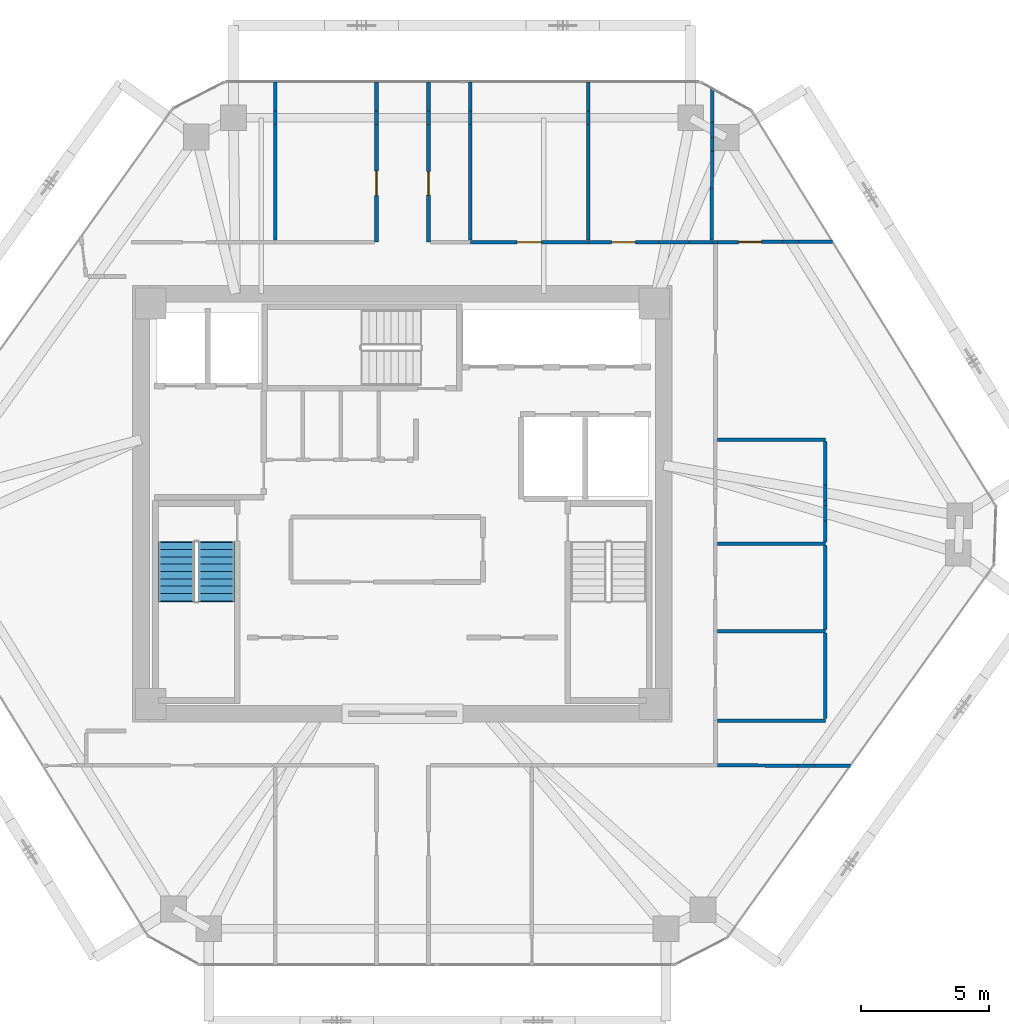
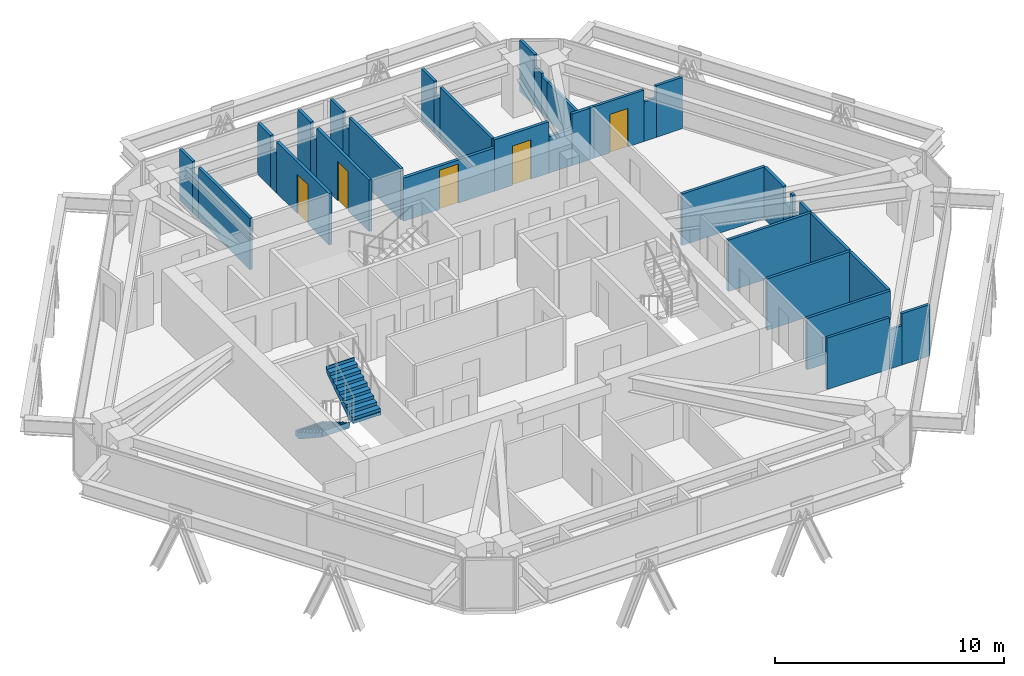
# One storey, part 13 of 15: 42 walls, 5 doors, 2 stair flights, 5 openings, 1 element without a shape of its own.
"""IFC4 building model written with IfcOpenShell, lengths in metres."""

from ifc_helpers import new_model, si_unit, direction, frame, frame_2d, origin, place, context, subcontext, project, spatial, polyline, rectangle, outline, extrude, source, transform, mapped, material, layer, layer_set, type_object, type_shapes, element, fill, aggregate, save


model = new_model("IFC4")

# Units and contexts
model_context = context("Model", 3, precision=1e-05, world=origin(), true_north=direction((0.0, 1.0)))
body_context = subcontext(model_context, "Body", "Model", "MODEL_VIEW")
ifc_project = project(units=[si_unit("LENGTHUNIT", "METRE"), si_unit("AREAUNIT", "SQUARE_METRE"), si_unit("VOLUMEUNIT", "CUBIC_METRE"), si_unit("PLANEANGLEUNIT", "RADIAN"), si_unit("MASSUNIT", "GRAM", prefix="KILO")], contexts=[model_context])

# Site, building, storey
site_placement = place(None, origin())
site = spatial("IfcSite", under=ifc_project, at=site_placement, CompositionType="ELEMENT")
building_placement = place(site_placement, origin())
building = spatial("IfcBuilding", under=site, at=building_placement, Name="Durnholm Broadcast Tower", CompositionType="ELEMENT")
storey_placement = place(building_placement, frame((0.0, 0.0, 206.199951171875)))
storey = spatial("IfcBuildingStorey", under=building, at=storey_placement, Name="L57", CompositionType="ELEMENT", Elevation=206.199951171875)

# Walls
ifc_material_1 = material(Name="Gypsum Metal Stud Partition", Category="concrete")
ifc_layer_1 = layer(ifc_material_1, 0.135009765625)
ifc_layer_set_1 = layer_set([ifc_layer_1], Name="Gypsum Metal Stud Partition")
wall_type_1 = type_object("IfcWallType", Name="WALL-PART-135", PredefinedType="PARTITIONING", material=ifc_layer_set_1)
wall_1_placement = place(storey_placement, frame((-4.9599609375, 16.41796875, 0.0), z_axis=(0.0, 0.0, 1.0), x_axis=(0.0, -1.0, 0.0)))
element("IfcWall", 1, at=wall_1_placement, inside=storey, type_object=wall_type_1, Name="L57 room dividing partition 13.14", PredefinedType="PARTITIONING", context=body_context, shape_type="SweptSolid", body=[
    extrude(rectangle(XDim=1.137451171875, YDim=0.135009765625, at=frame_2d((0.56884765625, 0.0))), origin(), (0.0, 0.0, 1.0), 2.7451171875),
])
wall_2_placement = place(storey_placement, frame((-4.9599609375, 14.75537109375, 0.0), z_axis=(0.0, 0.0, 1.0), x_axis=(0.0, -1.0, 0.0)))
element("IfcWall", 2, at=wall_2_placement, inside=storey, type_object=wall_type_1, Name="L57 room dividing partition 13.14", PredefinedType="PARTITIONING", context=body_context, shape_type="SweptSolid", body=[
    extrude(rectangle(XDim=4.496337890625, YDim=0.135009765625, at=frame_2d((2.248046875, 0.0))), origin(), (0.0, 0.0, 1.0), 2.7451171875),
])
wall_3_placement = place(storey_placement, frame((-4.9599609375, 15.280517578125, 0.0), z_axis=(0.0, 0.0, 1.0), x_axis=(0.0, -1.0, 0.0)))
element("IfcWall", 3, at=wall_3_placement, inside=storey, type_object=wall_type_1, Name="L57 room dividing partition 13.14", PredefinedType="PARTITIONING", context=body_context, shape_type="SweptSolid", body=[
    extrude(rectangle(XDim=0.525146484375, YDim=0.135009765625, at=frame_2d((0.2626953125, 0.0))), origin(), (0.0, 0.0, 1.0), 2.098876953125),
])
wall_4_placement = place(storey_placement, frame((2.639892578125, 16.41796875, 0.0), z_axis=(0.0, 0.0, 1.0), x_axis=(0.0, -1.0, 0.0)))
element("IfcWall", 4, at=wall_4_placement, inside=storey, type_object=wall_type_1, Name="L57 room dividing partition 15.16", PredefinedType="PARTITIONING", context=body_context, shape_type="SweptSolid", body=[
    extrude(rectangle(XDim=1.137451171875, YDim=0.135009765625, at=frame_2d((0.56884765625, 0.0))), origin(), (0.0, 0.0, 1.0), 2.7451171875),
])
wall_5_placement = place(storey_placement, frame((2.639892578125, 14.75537109375, 0.0), z_axis=(0.0, 0.0, 1.0), x_axis=(0.0, -1.0, 0.0)))
element("IfcWall", 5, at=wall_5_placement, inside=storey, type_object=wall_type_1, Name="L57 room dividing partition 15.16", PredefinedType="PARTITIONING", context=body_context, shape_type="SweptSolid", body=[
    extrude(rectangle(XDim=4.496337890625, YDim=0.135009765625, at=frame_2d((2.248046875, 0.0))), origin(), (0.0, 0.0, 1.0), 2.7451171875),
])
wall_6_placement = place(storey_placement, frame((2.639892578125, 15.280517578125, 0.0), z_axis=(0.0, 0.0, 1.0), x_axis=(0.0, -1.0, 0.0)))
element("IfcWall", 6, at=wall_6_placement, inside=storey, type_object=wall_type_1, Name="L57 room dividing partition 15.16", PredefinedType="PARTITIONING", context=body_context, shape_type="SweptSolid", body=[
    extrude(rectangle(XDim=0.525146484375, YDim=0.135009765625, at=frame_2d((0.2626953125, 0.0))), origin(), (0.0, 0.0, 1.0), 2.098876953125),
])
wall_7_placement = place(storey_placement, frame((7.239990234375, 16.41796875, 0.0), z_axis=(0.0, 0.0, 1.0), x_axis=(0.0, -1.0, 0.0)))
element("IfcWall", 7, at=wall_7_placement, inside=storey, type_object=wall_type_1, Name="L57 room dividing partition 16.17", PredefinedType="PARTITIONING", context=body_context, shape_type="SweptSolid", body=[
    extrude(rectangle(XDim=1.137451171875, YDim=0.135009765625, at=frame_2d((0.56884765625, 0.0))), origin(), (0.0, 0.0, 1.0), 2.7451171875),
])
wall_8_placement = place(storey_placement, frame((7.239990234375, 14.75537109375, 0.0), z_axis=(0.0, 0.0, 1.0), x_axis=(0.0, -1.0, 0.0)))
element("IfcWall", 8, at=wall_8_placement, inside=storey, type_object=wall_type_1, Name="L57 room dividing partition 16.17", PredefinedType="PARTITIONING", context=body_context, shape_type="SweptSolid", body=[
    extrude(rectangle(XDim=4.496337890625, YDim=0.135009765625, at=frame_2d((2.248046875, 0.0))), origin(), (0.0, 0.0, 1.0), 2.7451171875),
])
wall_9_placement = place(storey_placement, frame((7.239990234375, 15.280517578125, 0.0), z_axis=(0.0, 0.0, 1.0), x_axis=(0.0, -1.0, 0.0)))
element("IfcWall", 9, at=wall_9_placement, inside=storey, type_object=wall_type_1, Name="L57 room dividing partition 16.17", PredefinedType="PARTITIONING", context=body_context, shape_type="SweptSolid", body=[
    extrude(rectangle(XDim=0.525146484375, YDim=0.135009765625, at=frame_2d((0.2626953125, 0.0))), origin(), (0.0, 0.0, 1.0), 2.098876953125),
])
wall_10_placement = place(storey_placement, frame((12.0595703125, 16.1513671875, 0.0), z_axis=(0.0, 0.0, 1.0), x_axis=(-0.003193071626, -0.999994902134, 0.0)))
element("IfcWall", 10, at=wall_10_placement, inside=storey, type_object=wall_type_1, Name="L57 room dividing partition 17.18", PredefinedType="PARTITIONING", context=body_context, shape_type="SweptSolid", body=[
    extrude(rectangle(XDim=1.2998046875, YDim=0.135009765625, at=frame_2d((0.64990234375, 0.0))), origin(), (0.0, 0.0, 1.0), 2.7451171875),
])
wall_11_placement = place(storey_placement, frame((12.05322265625, 14.25146484375, 0.0), z_axis=(0.0, 0.0, 1.0), x_axis=(-0.003323818297, -0.999994476101, 0.0)))
element("IfcWall", 11, at=wall_11_placement, inside=storey, type_object=wall_type_1, Name="L57 room dividing partition 17.18", PredefinedType="PARTITIONING", context=body_context, shape_type="SweptSolid", body=[
    extrude(rectangle(XDim=0.51416015625, YDim=0.135009765625, at=frame_2d((0.257080078125, 0.0))), origin(), (0.0, 0.0, 1.0), 1.94189453125),
])
wall_12_placement = place(storey_placement, frame((12.046875, 12.263427734375, 0.0), z_axis=(0.0, 0.0, 1.0), x_axis=(-0.003288654567, -0.999994592361, 0.0)))
element("IfcWall", 12, at=wall_12_placement, inside=storey, type_object=wall_type_1, Name="L57 room dividing partition 17.18", PredefinedType="PARTITIONING", context=body_context, shape_type="SweptSolid", body=[
    extrude(rectangle(XDim=2.00439453125, YDim=0.135009765625, at=frame_2d((1.002197265625, 0.0))), origin(), (0.0, 0.0, 1.0), 1.94189453125),
])
wall_13_placement = place(storey_placement, frame((12.055419921875, 14.8515625, 0.0), z_axis=(0.0, 0.0, 1.0), x_axis=(-0.003661488881, -0.999993296727, 0.0)))
element("IfcWall", 13, at=wall_13_placement, inside=storey, type_object=wall_type_1, Name="L57 room dividing partition 17.18", PredefinedType="PARTITIONING", context=body_context, shape_type="SweptSolid", body=[
    extrude(rectangle(XDim=0.60009765625, YDim=0.135009765625, at=frame_2d((0.300048828125, 0.0))), origin(), (0.0, 0.0, 1.0), 2.098876953125),
])
wall_14_placement = place(storey_placement, frame((12.051513671875, 13.7373046875, 0.0), z_axis=(0.0, 0.0, 1.0), x_axis=(-0.003147242985, -0.999995047419, 0.0)))
element("IfcWall", 14, at=wall_14_placement, inside=storey, type_object=wall_type_1, Name="L57 room dividing partition 17.18", PredefinedType="PARTITIONING", context=body_context, shape_type="SweptSolid", body=[
    extrude(rectangle(XDim=1.473876953125, YDim=0.135009765625, at=frame_2d((0.73681640625, 0.0))), origin(), (0.0, 0.0, 1.0), 1.94189453125),
])
wall_15_placement = place(storey_placement, frame((16.739990234375, 10.200927734375, 0.0), z_axis=(0.0, 0.0, 1.0), x_axis=(-0.999989521507, -0.004577868163, 0.0)))
element("IfcWall", 15, at=wall_15_placement, inside=storey, type_object=wall_type_1, Name="L57 room dividing partition 18.25", PredefinedType="PARTITIONING", context=body_context, shape_type="SweptSolid", body=[
    extrude(rectangle(XDim=1.333251953125, YDim=0.135009765625, at=frame_2d((0.66650390625, 0.0))), origin(), (0.0, 0.0, 1.0), 2.7451171875),
])

# Wall, opening, door
wall_16_placement = place(storey_placement, frame((14.791259765625, 10.19189453125, 0.0), z_axis=(0.0, 0.0, 1.0), x_axis=(-0.999989725302, -0.004533132435, 0.0)))
wall_16 = element("IfcWall", 16, at=wall_16_placement, inside=storey, type_object=wall_type_1, Name="L57 room dividing partition 18.25", PredefinedType="PARTITIONING", context=body_context, shape_type="SweptSolid", body=[
    extrude(rectangle(XDim=2.53125, YDim=0.135009765625, at=frame_2d((1.265625, 0.0))), origin(), (0.0, 0.0, 1.0), 2.7451171875),
])
opening_1_placement = place(wall_16_placement, frame((0.815673828125, 0.0, 0.0)))
opening_1 = element("IfcOpeningElement", 17, at=opening_1_placement, cuts=wall_16, Name="Opening DW-90L", PredefinedType="OPENING", context=body_context, shape_type="SweptSolid", body=[
    extrude(rectangle(XDim=0.89990234375, YDim=2.050048828125, at=frame_2d((0.449951171875, 1.02490234375))), frame((0.0, 0.07763671875, 0.0), z_axis=(0.0, -1.0, 0.0), x_axis=(1.0, 0.0, 0.0)), (0.0, 0.0, 1.0), 0.155029296875),
])
ifc_material_2 = material(Name="Laminate Restroom Door", Category="steel")
ifc_layer_2 = layer(ifc_material_2, 0.050048828125)
ifc_layer_set_2 = layer_set([ifc_layer_2], Name="Laminate Restroom Door")
door_type_1 = type_object("IfcDoorType", Name="DOOR-WC-900L", OperationType="NOTDEFINED", PredefinedType="DOOR", material=ifc_layer_set_2)
shared_shape_1 = source(origin(), body_context, "Body", "SweptSolid", [
    extrude(rectangle(XDim=0.89990234375, YDim=2.050048828125, at=frame_2d((0.449951171875, 1.02490234375))), frame((0.0, 0.02490234375, 0.0), z_axis=(0.0, -1.0, 0.0), x_axis=(1.0, 0.0, 0.0)), (0.0, 0.0, 1.0), 0.050048828125),
])
type_shapes(door_type_1, [shared_shape_1])
door_1_placement = place(opening_1_placement, origin())
door_1 = element("IfcDoor", 18, at=door_1_placement, inside=storey, type_object=door_type_1, Name="L57 Royalty Analyst Office connecting door", OperationType="SINGLE_SWING_LEFT", OverallHeight=2.050048828125, OverallWidth=0.89990234375, PredefinedType="DOOR", context=body_context, shape_type="MappedRepresentation", body=[
    mapped(shared_shape_1, transform((0.0, 0.0, 0.0), x_axis=(1.0, 0.0, 0.0), y_axis=(0.0, 1.0, 0.0), z_axis=(0.0, 0.0, 1.0), scale=1.0)),
])
fill(opening_1, door_1)

# Walls
wall_17_placement = place(storey_placement, frame((15.40673828125, 10.19482421875, 0.0), z_axis=(0.0, 0.0, 1.0), x_axis=(-0.999988671317, -0.004759961942, 0.0)))
element("IfcWall", 19, at=wall_17_placement, inside=storey, type_object=wall_type_1, Name="L57 room dividing partition 18.25", PredefinedType="PARTITIONING", context=body_context, shape_type="SweptSolid", body=[
    extrude(rectangle(XDim=0.615478515625, YDim=0.135009765625, at=frame_2d((0.3076171875, 0.0))), origin(), (0.0, 0.0, 1.0), 2.098876953125),
])
wall_18_placement = place(storey_placement, frame((12.260009765625, -10.180419921875, 0.0), z_axis=(0.0, 0.0, 1.0), x_axis=(0.999990120522, -0.004445093728, 0.0)))
element("IfcWall", 20, at=wall_18_placement, inside=storey, type_object=wall_type_1, Name="L57 room dividing partition 22.25", PredefinedType="PARTITIONING", context=body_context, shape_type="SweptSolid", body=[
    extrude(rectangle(XDim=3.130615234375, YDim=0.135009765625, at=frame_2d((1.5654296875, 0.0))), origin(), (0.0, 0.0, 1.0), 2.7451171875),
])
wall_19_placement = place(storey_placement, frame((16.034423828125, -10.197021484375, 0.0), z_axis=(0.0, 0.0, 1.0), x_axis=(0.999989640625, -0.004551773574, 0.0)))
element("IfcWall", 21, at=wall_19_placement, inside=storey, type_object=wall_type_1, Name="L57 room dividing partition 22.25", PredefinedType="PARTITIONING", context=body_context, shape_type="SweptSolid", body=[
    extrude(rectangle(XDim=1.39453125, YDim=0.135009765625, at=frame_2d((0.697265625, 0.0))), origin(), (0.0, 0.0, 1.0), 2.7451171875),
])
wall_20_placement = place(storey_placement, frame((15.390625, -10.1943359375, 0.0), z_axis=(0.0, 0.0, 1.0), x_axis=(0.999991299796, -0.00417137061, 0.0)))
element("IfcWall", 22, at=wall_20_placement, inside=storey, type_object=wall_type_1, Name="L57 room dividing partition 22.25", PredefinedType="PARTITIONING", context=body_context, shape_type="SweptSolid", body=[
    extrude(rectangle(XDim=0.643798828125, YDim=0.135009765625, at=frame_2d((0.32177734375, 0.0))), origin(), (0.0, 0.0, 1.0), 2.098876953125),
])
ifc_material_3 = material(Name="Acoustic Gypsum Stud Partition", Category="concrete")
ifc_layer_3 = layer(ifc_material_3, 0.14990234375)
ifc_layer_set_3 = layer_set([ifc_layer_3], Name="Acoustic Gypsum Stud Partition")
wall_type_2 = type_object("IfcWallType", Name="WALL-PART-150", PredefinedType="PARTITIONING", material=ifc_layer_set_3)
wall_21_placement = place(storey_placement, frame((-1.010009765625, 16.41796875, 0.0), z_axis=(0.0, 0.0, 1.0), x_axis=(0.0, -1.0, 0.0)))
element("IfcWall", 23, at=wall_21_placement, inside=storey, type_object=wall_type_2, Name="L57 Soundtrack Mixing Office corridor partition", PredefinedType="PARTITIONING", context=body_context, shape_type="SweptSolid", body=[
    extrude(rectangle(XDim=1.137451171875, YDim=0.14990234375, at=frame_2d((0.56884765625, 0.0))), origin(), (0.0, 0.0, 1.0), 2.7451171875),
])

# Wall, opening, door
wall_22_placement = place(storey_placement, frame((-1.010009765625, 14.75537109375, 0.0), z_axis=(0.0, 0.0, 1.0), x_axis=(0.0, -1.0, 0.0)))
wall_22 = element("IfcWall", 24, at=wall_22_placement, inside=storey, type_object=wall_type_2, Name="L57 Soundtrack Mixing Office corridor partition", PredefinedType="PARTITIONING", context=body_context, shape_type="SweptSolid", body=[
    extrude(rectangle(XDim=4.575439453125, YDim=0.14990234375, at=frame_2d((2.28759765625, 0.0))), origin(), (0.0, 0.0, 1.0), 2.7451171875),
])
opening_2_placement = place(wall_22_placement, frame((1.812744140625, 0.0, 0.0)))
opening_2 = element("IfcOpeningElement", 25, at=opening_2_placement, cuts=wall_22, Name="Opening DR-95L", PredefinedType="OPENING", context=body_context, shape_type="SweptSolid", body=[
    extrude(rectangle(XDim=0.949951171875, YDim=2.10009765625, at=frame_2d((0.47509765625, 1.050048828125))), frame((0.0, 0.0849609375, 0.0), z_axis=(0.0, -1.0, 0.0), x_axis=(1.0, 0.0, 0.0)), (0.0, 0.0, 1.0), 0.169921875),
])
ifc_material_4 = material(Name="Acoustic Oak Veneer Timber Door", Category="wood")
ifc_layer_4 = layer(ifc_material_4, 0.050048828125)
ifc_layer_set_4 = layer_set([ifc_layer_4], Name="Acoustic Oak Veneer Timber Door")
door_type_2 = type_object("IfcDoorType", Name="DOOR-RM-950L", OperationType="NOTDEFINED", PredefinedType="DOOR", material=ifc_layer_set_4)
shared_shape_2 = source(origin(), body_context, "Body", "SweptSolid", [
    extrude(rectangle(XDim=0.949951171875, YDim=2.10009765625, at=frame_2d((0.47509765625, 1.050048828125))), frame((0.0, 0.02490234375, 0.0), z_axis=(0.0, -1.0, 0.0), x_axis=(1.0, 0.0, 0.0)), (0.0, 0.0, 1.0), 0.050048828125),
])
type_shapes(door_type_2, [shared_shape_2])
door_2_placement = place(opening_2_placement, origin())
door_2 = element("IfcDoor", 26, at=door_2_placement, inside=storey, type_object=door_type_2, Name="L57 Soundtrack Mixing Office entrance door", OperationType="SINGLE_SWING_LEFT", OverallHeight=2.10009765625, OverallWidth=0.949951171875, PredefinedType="DOOR", context=body_context, shape_type="MappedRepresentation", body=[
    mapped(shared_shape_2, transform((0.0, 0.0, 0.0), x_axis=(1.0, 0.0, 0.0), y_axis=(0.0, 1.0, 0.0), z_axis=(0.0, 0.0, 1.0), scale=1.0)),
])
fill(opening_2, door_2)

# Wall
wall_23_placement = place(storey_placement, frame((-1.010009765625, 15.280517578125, 0.0), z_axis=(0.0, 0.0, 1.0), x_axis=(0.0, -1.0, 0.0)))
element("IfcWall", 27, at=wall_23_placement, inside=storey, type_object=wall_type_2, Name="L57 Soundtrack Mixing Office corridor partition", PredefinedType="PARTITIONING", context=body_context, shape_type="SweptSolid", body=[
    extrude(rectangle(XDim=0.525146484375, YDim=0.14990234375, at=frame_2d((0.2626953125, 0.0))), origin(), (0.0, 0.0, 1.0), 2.098876953125),
])

# Wall, opening, door
wall_24_placement = place(storey_placement, frame((1.010009765625, 10.179931640625, 0.0), z_axis=(0.0, 0.0, 1.0), x_axis=(0.0, 1.0, 0.0)))
wall_24 = element("IfcWall", 28, at=wall_24_placement, inside=storey, type_object=wall_type_2, Name="L57 Licensing Meeting Room corridor partition", PredefinedType="PARTITIONING", context=body_context, shape_type="SweptSolid", body=[
    extrude(rectangle(XDim=4.575439453125, YDim=0.14990234375, at=frame_2d((2.28759765625, 0.0))), origin(), (0.0, 0.0, 1.0), 2.7451171875),
])
opening_3_placement = place(wall_24_placement, frame((1.82763671875, 0.0, 0.0)))
opening_3 = element("IfcOpeningElement", 29, at=opening_3_placement, cuts=wall_24, Name="Opening DR-92R", PredefinedType="OPENING", context=body_context, shape_type="SweptSolid", body=[
    extrude(rectangle(XDim=0.919921875, YDim=2.10009765625, at=frame_2d((0.4599609375, 1.050048828125))), frame((0.0, 0.0849609375, 0.0), z_axis=(0.0, -1.0, 0.0), x_axis=(1.0, 0.0, 0.0)), (0.0, 0.0, 1.0), 0.169921875),
])
ifc_material_5 = material(Name="Oak Veneer Office Door", Category="wood")
ifc_layer_5 = layer(ifc_material_5, 0.050048828125)
ifc_layer_set_5 = layer_set([ifc_layer_5], Name="Oak Veneer Office Door")
door_type_3 = type_object("IfcDoorType", Name="DOOR-RM-920R", OperationType="NOTDEFINED", PredefinedType="DOOR", material=ifc_layer_set_5)
shared_shape_3 = source(origin(), body_context, "Body", "SweptSolid", [
    extrude(rectangle(XDim=0.919921875, YDim=2.10009765625, at=frame_2d((0.4599609375, 1.050048828125))), frame((0.0, 0.02490234375, 0.0), z_axis=(0.0, -1.0, 0.0), x_axis=(1.0, 0.0, 0.0)), (0.0, 0.0, 1.0), 0.050048828125),
])
type_shapes(door_type_3, [shared_shape_3])
door_3_placement = place(opening_3_placement, origin())
door_3 = element("IfcDoor", 30, at=door_3_placement, inside=storey, type_object=door_type_3, Name="L57 Licensing Meeting Room entrance door", OperationType="SINGLE_SWING_RIGHT", OverallHeight=2.10009765625, OverallWidth=0.919921875, PredefinedType="DOOR", context=body_context, shape_type="MappedRepresentation", body=[
    mapped(shared_shape_3, transform((0.0, 0.0, 0.0), x_axis=(1.0, 0.0, 0.0), y_axis=(0.0, 1.0, 0.0), z_axis=(0.0, 0.0, 1.0), scale=1.0)),
])
fill(opening_3, door_3)

# Walls
wall_25_placement = place(storey_placement, frame((1.010009765625, 15.280517578125, 0.0), z_axis=(0.0, 0.0, 1.0), x_axis=(0.0, 1.0, 0.0)))
element("IfcWall", 31, at=wall_25_placement, inside=storey, type_object=wall_type_2, Name="L57 Licensing Meeting Room corridor partition", PredefinedType="PARTITIONING", context=body_context, shape_type="SweptSolid", body=[
    extrude(rectangle(XDim=1.137451171875, YDim=0.14990234375, at=frame_2d((0.56884765625, 0.0))), origin(), (0.0, 0.0, 1.0), 2.7451171875),
])
wall_26_placement = place(storey_placement, frame((1.010009765625, 14.75537109375, 0.0), z_axis=(0.0, 0.0, 1.0), x_axis=(0.0, 1.0, 0.0)))
element("IfcWall", 32, at=wall_26_placement, inside=storey, type_object=wall_type_2, Name="L57 Licensing Meeting Room corridor partition", PredefinedType="PARTITIONING", context=body_context, shape_type="SweptSolid", body=[
    extrude(rectangle(XDim=0.525146484375, YDim=0.14990234375, at=frame_2d((0.2626953125, 0.0))), origin(), (0.0, 0.0, 1.0), 2.098876953125),
])

# Wall, opening, door
wall_27_placement = place(storey_placement, frame((7.239990234375, 10.179931640625, 0.0), z_axis=(0.0, 0.0, 1.0), x_axis=(-1.0, 0.0, 0.0)))
wall_27 = element("IfcWall", 33, at=wall_27_placement, inside=storey, type_object=wall_type_2, Name="L57 Composer Office 1 corridor partition", PredefinedType="PARTITIONING", context=body_context, shape_type="SweptSolid", body=[
    extrude(rectangle(XDim=4.60009765625, YDim=0.14990234375, at=frame_2d((2.300048828125, 0.0))), origin(), (0.0, 0.0, 1.0), 2.308349609375),
])
opening_4_placement = place(wall_27_placement, frame((1.824951171875, 0.0, 0.0)))
opening_4 = element("IfcOpeningElement", 34, at=opening_4_placement, cuts=wall_27, Name="Opening DR-95L", PredefinedType="OPENING", context=body_context, shape_type="SweptSolid", body=[
    extrude(rectangle(XDim=0.949951171875, YDim=2.10009765625, at=frame_2d((0.47509765625, 1.050048828125))), frame((0.0, 0.0849609375, 0.0), z_axis=(0.0, -1.0, 0.0), x_axis=(1.0, 0.0, 0.0)), (0.0, 0.0, 1.0), 0.169921875),
])
door_4_placement = place(opening_4_placement, origin())
door_4 = element("IfcDoor", 35, at=door_4_placement, inside=storey, type_object=door_type_2, Name="L57 Composer Office 1 entrance door", OperationType="SINGLE_SWING_LEFT", OverallHeight=2.10009765625, OverallWidth=0.949951171875, PredefinedType="DOOR", context=body_context, shape_type="MappedRepresentation", body=[
    mapped(shared_shape_2, transform((0.0, 0.0, 0.0), x_axis=(1.0, 0.0, 0.0), y_axis=(0.0, 1.0, 0.0), z_axis=(0.0, 0.0, 1.0), scale=1.0)),
])
fill(opening_4, door_4)

# Wall
wall_28_placement = place(storey_placement, frame((12.0400390625, 10.179931640625, 0.0), z_axis=(0.0, 0.0, 1.0), x_axis=(-1.0, 0.0, 0.0)))
element("IfcWall", 36, at=wall_28_placement, inside=storey, type_object=wall_type_2, Name="L57 Composer Office 2 corridor partition", PredefinedType="PARTITIONING", context=body_context, shape_type="SweptSolid", body=[
    extrude(rectangle(XDim=0.894287109375, YDim=0.14990234375, at=frame_2d((0.447265625, 0.0))), origin(), (0.0, 0.0, 1.0), 2.7451171875),
])

# Wall, opening, door
wall_29_placement = place(storey_placement, frame((9.971435546875, 10.179931640625, 0.0), z_axis=(0.0, 0.0, 1.0), x_axis=(-1.0, 0.0, 0.0)))
wall_29 = element("IfcWall", 37, at=wall_29_placement, inside=storey, type_object=wall_type_2, Name="L57 Composer Office 2 corridor partition", PredefinedType="PARTITIONING", context=body_context, shape_type="SweptSolid", body=[
    extrude(rectangle(XDim=2.7314453125, YDim=0.14990234375, at=frame_2d((1.36572265625, 0.0))), origin(), (0.0, 0.0, 1.0), 2.7451171875),
])
opening_5_placement = place(wall_29_placement, frame((0.90576171875, 0.0, 0.0)))
opening_5 = element("IfcOpeningElement", 38, at=opening_5_placement, cuts=wall_29, Name="Opening DR-92R", PredefinedType="OPENING", context=body_context, shape_type="SweptSolid", body=[
    extrude(rectangle(XDim=0.919921875, YDim=2.10009765625, at=frame_2d((0.4599609375, 1.050048828125))), frame((0.0, 0.0849609375, 0.0), z_axis=(0.0, -1.0, 0.0), x_axis=(1.0, 0.0, 0.0)), (0.0, 0.0, 1.0), 0.169921875),
])
door_5_placement = place(opening_5_placement, origin())
door_5 = element("IfcDoor", 39, at=door_5_placement, inside=storey, type_object=door_type_3, Name="L57 Composer Office 2 entrance door", OperationType="SINGLE_SWING_RIGHT", OverallHeight=2.10009765625, OverallWidth=0.919921875, PredefinedType="DOOR", context=body_context, shape_type="MappedRepresentation", body=[
    mapped(shared_shape_3, transform((0.0, 0.0, 0.0), x_axis=(1.0, 0.0, 0.0), y_axis=(0.0, 1.0, 0.0), z_axis=(0.0, 0.0, 1.0), scale=1.0)),
])
fill(opening_5, door_5)

# Walls
wall_30_placement = place(storey_placement, frame((11.145751953125, 10.179931640625, 0.0), z_axis=(0.0, 0.0, 1.0), x_axis=(-1.0, 0.0, 0.0)))
element("IfcWall", 40, at=wall_30_placement, inside=storey, type_object=wall_type_2, Name="L57 Composer Office 2 corridor partition", PredefinedType="PARTITIONING", context=body_context, shape_type="SweptSolid", body=[
    extrude(rectangle(XDim=1.17431640625, YDim=0.14990234375, at=frame_2d((0.587158203125, 0.0))), origin(), (0.0, 0.0, 1.0), 1.94189453125),
])
wall_31_placement = place(storey_placement, frame((12.260009765625, 10.179931640625, 0.0), z_axis=(0.0, 0.0, 1.0), x_axis=(-1.0, 0.0, 0.0)))
element("IfcWall", 41, at=wall_31_placement, inside=storey, type_object=wall_type_2, Name="L57 Royalty Analyst Office corridor partition", PredefinedType="PARTITIONING", context=body_context, shape_type="SweptSolid", body=[
    extrude(rectangle(XDim=0.219970703125, YDim=0.14990234375, at=frame_2d((0.10986328125, 0.0))), origin(), (0.0, 0.0, 1.0), 2.7451171875),
])
ifc_material_6 = material(Name="Moisture-Resistant Tile Partition", Category="concrete")
ifc_layer_6 = layer(ifc_material_6, 0.139892578125)
ifc_layer_set_6 = layer_set([ifc_layer_6], Name="Moisture-Resistant Tile Partition")
wall_type_3 = type_object("IfcWallType", Name="WALL-WC-140", PredefinedType="PARTITIONING", material=ifc_layer_set_6)
wall_32_placement = place(storey_placement, frame((12.25390625, -4.9599609375, 0.0), z_axis=(0.0, 0.0, 1.0), x_axis=(1.0, 0.0, 0.0)))
element("IfcWall", 42, at=wall_32_placement, inside=storey, type_object=wall_type_3, Name="L57 room dividing partition 10.11", PredefinedType="PARTITIONING", context=body_context, shape_type="SweptSolid", body=[
    extrude(rectangle(XDim=4.2060546875, YDim=0.139892578125, at=frame_2d((2.10302734375, 0.0))), origin(), (0.0, 0.0, 1.0), 2.7451171875),
])
wall_33_placement = place(storey_placement, frame((16.4599609375, -8.43994140625, 0.0), z_axis=(0.0, 0.0, 1.0), x_axis=(-1.0, 0.0, 0.0)))
element("IfcWall", 43, at=wall_33_placement, inside=storey, type_object=wall_type_3, Name="L57 room dividing partition 10.25", PredefinedType="PARTITIONING", context=body_context, shape_type="SweptSolid", body=[
    extrude(rectangle(XDim=4.200927734375, YDim=0.139892578125, at=frame_2d((2.1005859375, 0.0))), origin(), (0.0, 0.0, 1.0), 2.7451171875),
])
wall_34_placement = place(storey_placement, frame((16.4599609375, -5.033935546875, 0.0), z_axis=(0.0, 0.0, 1.0), x_axis=(0.0, -1.0, 0.0)))
element("IfcWall", 44, at=wall_34_placement, inside=storey, type_object=wall_type_3, Name="L57 room dividing partition 10.25", PredefinedType="PARTITIONING", context=body_context, shape_type="SweptSolid", body=[
    extrude(rectangle(XDim=3.33203125, YDim=0.139892578125, at=frame_2d((1.666015625, 0.0))), origin(), (0.0, 0.0, 1.0), 2.7451171875),
])
wall_35_placement = place(storey_placement, frame((12.25390625, -1.56005859375, 0.0), z_axis=(0.0, 0.0, 1.0), x_axis=(1.0, 0.0, 0.0)))
element("IfcWall", 45, at=wall_35_placement, inside=storey, type_object=wall_type_3, Name="L57 room dividing partition 11.12", PredefinedType="PARTITIONING", context=body_context, shape_type="SweptSolid", body=[
    extrude(rectangle(XDim=4.2060546875, YDim=0.139892578125, at=frame_2d((2.10302734375, 0.0))), origin(), (0.0, 0.0, 1.0), 2.7451171875),
])
wall_36_placement = place(storey_placement, frame((16.4599609375, -1.634033203125, 0.0), z_axis=(0.0, 0.0, 1.0), x_axis=(0.0, -1.0, 0.0)))
element("IfcWall", 46, at=wall_36_placement, inside=storey, type_object=wall_type_3, Name="L57 room dividing partition 11.25", PredefinedType="PARTITIONING", context=body_context, shape_type="SweptSolid", body=[
    extrude(rectangle(XDim=3.251953125, YDim=0.139892578125, at=frame_2d((1.6259765625, 0.0))), origin(), (0.0, 0.0, 1.0), 2.7451171875),
])
wall_37_placement = place(storey_placement, frame((12.259033203125, 2.489990234375, 0.0), z_axis=(0.0, 0.0, 1.0), x_axis=(1.0, 0.0, 0.0)))
element("IfcWall", 47, at=wall_37_placement, inside=storey, type_object=wall_type_3, Name="L57 room dividing partition 12.25", PredefinedType="PARTITIONING", context=body_context, shape_type="SweptSolid", body=[
    extrude(rectangle(XDim=4.200927734375, YDim=0.139892578125, at=frame_2d((2.1005859375, 0.0))), origin(), (0.0, 0.0, 1.0), 2.7451171875),
])
wall_38_placement = place(storey_placement, frame((16.4599609375, 2.416015625, 0.0), z_axis=(0.0, 0.0, 1.0), x_axis=(0.0, -1.0, 0.0)))
element("IfcWall", 48, at=wall_38_placement, inside=storey, type_object=wall_type_3, Name="L57 room dividing partition 12.25", PredefinedType="PARTITIONING", context=body_context, shape_type="SweptSolid", body=[
    extrude(rectangle(XDim=1.695556640625, YDim=0.139892578125, at=frame_2d((0.84765625, 0.0))), origin(), (0.0, 0.0, 1.0), 2.7451171875),
])
wall_39_placement = place(storey_placement, frame((16.4599609375, 0.13134765625, 0.0), z_axis=(0.0, 0.0, 1.0), x_axis=(0.0, -1.0, 0.0)))
element("IfcWall", 49, at=wall_39_placement, inside=storey, type_object=wall_type_3, Name="L57 room dividing partition 12.25", PredefinedType="PARTITIONING", context=body_context, shape_type="SweptSolid", body=[
    extrude(rectangle(XDim=0.203369140625, YDim=0.139892578125, at=frame_2d((0.1015625, 0.0))), origin(), (0.0, 0.0, 1.0), 2.7451171875),
])
wall_40_placement = place(storey_placement, frame((16.4599609375, -0.677978515625, 0.0), z_axis=(0.0, 0.0, 1.0), x_axis=(0.0, -1.0, 0.0)))
element("IfcWall", 50, at=wall_40_placement, inside=storey, type_object=wall_type_3, Name="L57 room dividing partition 12.25", PredefinedType="PARTITIONING", context=body_context, shape_type="SweptSolid", body=[
    extrude(rectangle(XDim=0.80810546875, YDim=0.139892578125, at=frame_2d((0.404052734375, 0.0))), origin(), (0.0, 0.0, 1.0), 2.7451171875),
])
wall_41_placement = place(storey_placement, frame((16.4599609375, 0.720458984375, 0.0), z_axis=(0.0, 0.0, 1.0), x_axis=(0.0, -1.0, 0.0)))
element("IfcWall", 51, at=wall_41_placement, inside=storey, type_object=wall_type_3, Name="L57 room dividing partition 12.25", PredefinedType="PARTITIONING", context=body_context, shape_type="SweptSolid", body=[
    extrude(rectangle(XDim=0.589111328125, YDim=0.139892578125, at=frame_2d((0.29443359375, 0.0))), origin(), (0.0, 0.0, 1.0), 1.94189453125),
])
wall_42_placement = place(storey_placement, frame((16.4599609375, -0.072021484375, 0.0), z_axis=(0.0, 0.0, 1.0), x_axis=(0.0, -1.0, 0.0)))
element("IfcWall", 52, at=wall_42_placement, inside=storey, type_object=wall_type_3, Name="L57 room dividing partition 12.25", PredefinedType="PARTITIONING", context=body_context, shape_type="SweptSolid", body=[
    extrude(rectangle(XDim=0.60595703125, YDim=0.139892578125, at=frame_2d((0.302978515625, 0.0))), origin(), (0.0, 0.0, 1.0), 1.94189453125),
])

# Stair, stair flights
ifc_material_7 = material(Name="Concrete C50/60", Category="concrete")
stair_type = type_object("IfcStairType", Name="STAIR-DL-18R1667", PredefinedType="HALF_TURN_STAIR", material=ifc_material_7)
stair_placement = place(storey_placement, origin())
stair = element("IfcStair", 53, at=stair_placement, inside=storey, type_object=stair_type, Name="L57 ST-1", PredefinedType="HALF_TURN_STAIR")
stair_flight_type = type_object("IfcStairFlightType", Name="FLIGHT-DL-18R1667", PredefinedType="STRAIGHT", material=ifc_material_7)
stair_flight_1_placement = place(storey_placement, frame((-8.800048828125, -1.5, 0.0), z_axis=(0.0, 0.0, 1.0), x_axis=(0.0, -1.0, 0.0)))
stair_flight_1 = element("IfcStairFlight", 54, at=stair_flight_1_placement, type_object=stair_flight_type, Name="ST-1 flight 1", NumberOfRisers=9, NumberOfTreads=8, PredefinedType="STRAIGHT", RiserHeight=0.166666667, TreadLength=0.285, context=body_context, shape_type="SweptSolid", body=[
    extrude(outline(polyline([(-0.0400390625, -0.14990234375), (-0.0400390625, 0.0), (0.0, 0.0), (0.0, 0.166748046875), (0.284912109375, 0.166748046875), (0.284912109375, 0.333251953125), (0.570068359375, 0.333251953125), (0.570068359375, 0.5), (0.85498046875, 0.5), (0.85498046875, 0.666748046875), (1.139892578125, 0.666748046875), (1.139892578125, 0.833251953125), (1.425048828125, 0.833251953125), (1.425048828125, 1.0), (1.7099609375, 1.0), (1.7099609375, 1.166748046875), (1.9951171875, 1.166748046875), (1.9951171875, 1.333251953125), (2.280029296875, 1.333251953125), (2.280029296875, 1.5), (2.320068359375, 1.5), (2.320068359375, 1.35009765625), (2.280029296875, 1.15966796875), (0.296875, -0.14990234375), (-0.0400390625, -0.14990234375)])), frame((0.0, 0.699951171875, 0.0), z_axis=(0.0, -1.0, 0.0), x_axis=(1.0, 0.0, 0.0)), (0.0, 0.0, 1.0), 1.39990234375),
])
stair_flight_2_placement = place(storey_placement, frame((-7.239990234375, -3.780029296875, 1.5), z_axis=(0.0, 0.0, 1.0), x_axis=(0.0, 1.0, 0.0)))
stair_flight_2 = element("IfcStairFlight", 55, at=stair_flight_2_placement, type_object=stair_flight_type, Name="ST-1 flight 2", NumberOfRisers=9, NumberOfTreads=8, PredefinedType="STRAIGHT", RiserHeight=0.166666667, TreadLength=0.285, context=body_context, shape_type="SweptSolid", body=[
    extrude(outline(polyline([(-0.0400390625, -0.14990234375), (-0.0400390625, 0.0), (0.0, 0.0), (0.0, 0.166748046875), (0.284912109375, 0.166748046875), (0.284912109375, 0.333251953125), (0.570068359375, 0.333251953125), (0.570068359375, 0.5), (0.85498046875, 0.5), (0.85498046875, 0.666748046875), (1.139892578125, 0.666748046875), (1.139892578125, 0.833251953125), (1.425048828125, 0.833251953125), (1.425048828125, 1.0), (1.7099609375, 1.0), (1.7099609375, 1.166748046875), (1.9951171875, 1.166748046875), (1.9951171875, 1.333251953125), (2.280029296875, 1.333251953125), (2.280029296875, 1.5), (2.320068359375, 1.5), (2.320068359375, 1.35009765625), (2.280029296875, 1.15966796875), (0.296875, -0.14990234375), (-0.0400390625, -0.14990234375)])), frame((0.0, 0.699951171875, 0.0), z_axis=(0.0, -1.0, 0.0), x_axis=(1.0, 0.0, 0.0)), (0.0, 0.0, 1.0), 1.39990234375),
])
aggregate(stair, [stair_flight_1, stair_flight_2])

save(model, "model.ifc")
